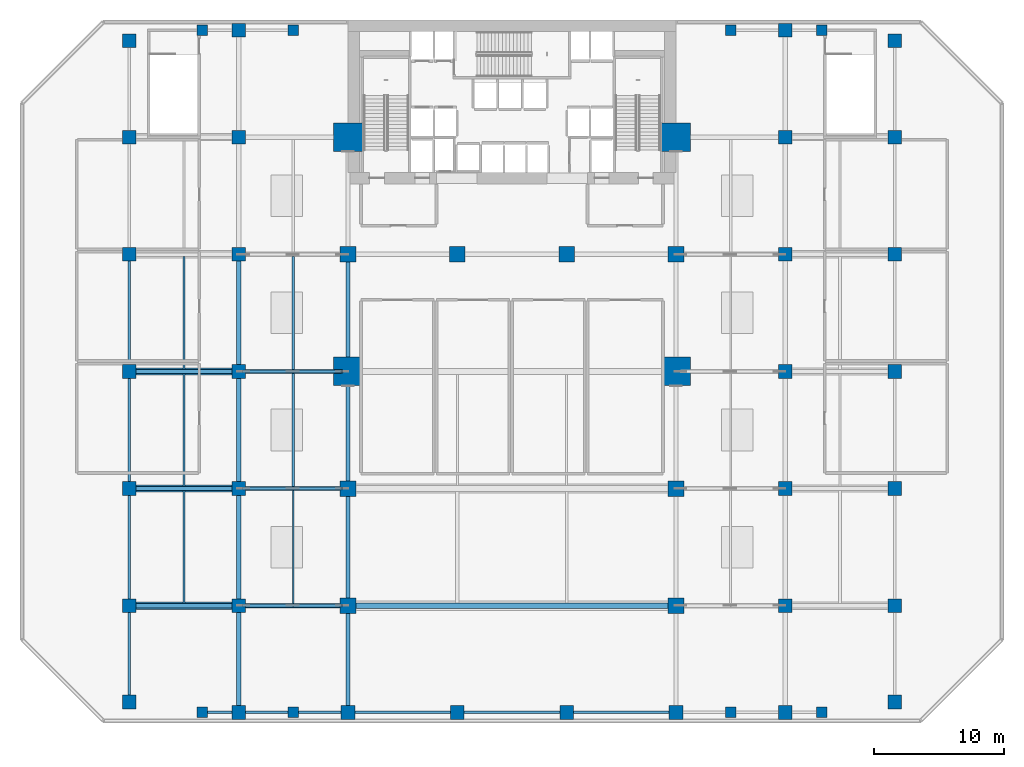
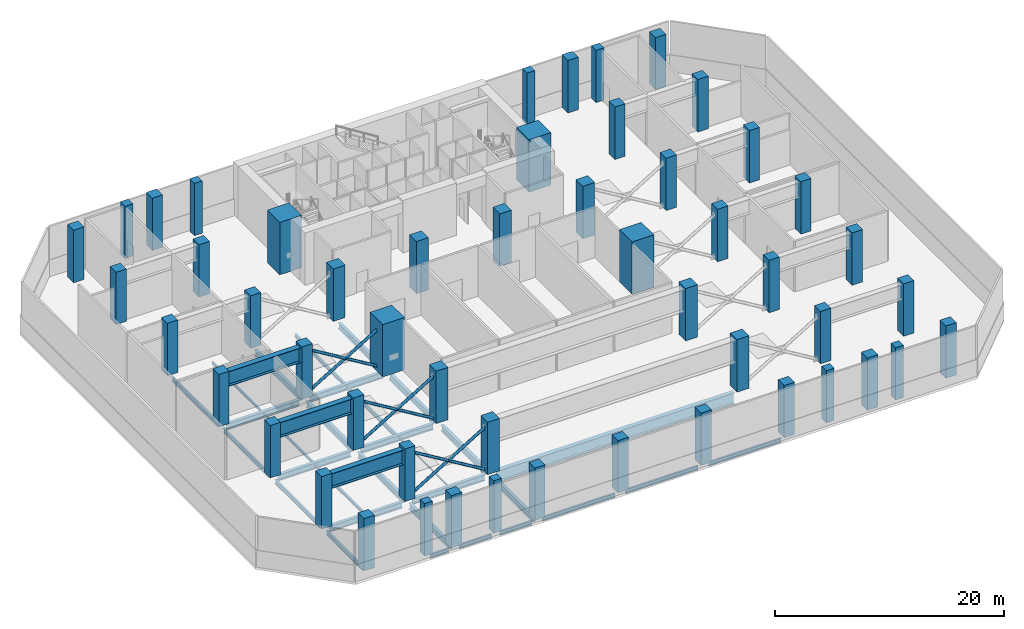
# One storey, part 1 of 15: 52 columns, 34 beams, 9 members.
"""IFC4 building model written with IfcOpenShell, lengths in metres."""

import ifcopenshell
import ifcopenshell.guid

model = None  # the IFC model being written
_history = None  # IfcOwnerHistory: only IFC2X3 demands one
_inside = {}  # id of a spatial element -> (the spatial element, [elements in it])
_under = {}  # id of a project, library or spatial element -> (it, [spatial elements below it])
_declared = {}  # id of a project -> (the project, [libraries it declares])
_typed = {}  # id of a type object -> (the type object, [elements of that type])
_made_of = {}  # id of a material, layer set ... -> (it, [elements and type objects made of it])


def new_model(schema):
    """Start an empty IFC model of exactly this schema.

    Asked for "IFC4X3", IfcOpenShell would pick the latest addendum, in which some entities
    have other attributes; the version numbers below select the first issue.
    IFC2X3 requires an IfcOwnerHistory on every rooted entity: one is made here for all.
    """
    global model, _history
    if schema == "IFC4X3":
        model = ifcopenshell.file(schema_version=(4, 3, 0, 0))
    else:
        model = ifcopenshell.file(schema=schema)
    _inside.clear()
    _under.clear()
    _declared.clear()
    _typed.clear()
    _made_of.clear()
    _history = None
    if model.schema == "IFC2X3":
        org = make("IfcOrganization", Name="unknown")
        user = make(
            "IfcPersonAndOrganization",
            ThePerson=make("IfcPerson", FamilyName="unknown"),
            TheOrganization=org,
        )
        app = make(
            "IfcApplication",
            ApplicationDeveloper=org,
            Version="unknown",
            ApplicationFullName="unknown",
            ApplicationIdentifier="unknown",
        )
        _history = make(
            "IfcOwnerHistory",
            OwningUser=user,
            OwningApplication=app,
            ChangeAction="ADDED",
            CreationDate=0,
        )
    return model


def make(cls, **values):
    """One entity of the class cls with the attributes given. An attribute that is None is left unset."""
    return model.create_entity(
        cls, **{name: value for name, value in values.items() if value is not None}
    )


def rooted(cls, **values):
    """An entity with a GlobalId (a new one), such as an element, a storey or a relation."""
    return make(cls, GlobalId=ifcopenshell.guid.new(), OwnerHistory=_history, **values)


def si_unit(unit_type, name, prefix=None):
    """IfcSIUnit, for example si_unit("LENGTHUNIT", "METRE", prefix="MILLI")."""
    return make("IfcSIUnit", UnitType=unit_type, Prefix=prefix, Name=name)


def assignment(units):
    """IfcUnitAssignment: the units of a project."""
    return None if units is None else make("IfcUnitAssignment", Units=units)


def point(xyz):
    """IfcCartesianPoint."""
    return None if xyz is None else make("IfcCartesianPoint", Coordinates=xyz)


def direction(xyz):
    """IfcDirection."""
    return None if xyz is None else make("IfcDirection", DirectionRatios=xyz)


def frame(location, z_axis=None, x_axis=None):
    """IfcAxis2Placement3D, a coordinate frame: its origin and axes. An axis left out is left unset."""
    return make(
        "IfcAxis2Placement3D",
        Location=point(location),
        Axis=direction(z_axis),
        RefDirection=direction(x_axis),
    )


def frame_2d(location, x_axis=None):
    """IfcAxis2Placement2D, a coordinate frame in the plane: its origin and x axis."""
    return make(
        "IfcAxis2Placement2D", Location=point(location), RefDirection=direction(x_axis)
    )


def origin():
    """The frame at (0, 0, 0) with its axes left unset."""
    return frame((0.0, 0.0, 0.0))


def origin_2d():
    """The frame at (0, 0) in the plane with its x axis left unset."""
    return frame_2d((0.0, 0.0))


def place(relative_to, where):
    """IfcLocalPlacement: puts the frame where relative to a parent placement (None: the world)."""
    return make(
        "IfcLocalPlacement", PlacementRelTo=relative_to, RelativePlacement=where
    )


def context(
    kind, dimensions, precision=None, world=None, true_north=None, identifier=None
):
    """IfcGeometricRepresentationContext, for example the 3D "Model" context."""
    return make(
        "IfcGeometricRepresentationContext",
        ContextIdentifier=identifier,
        ContextType=kind,
        CoordinateSpaceDimension=dimensions,
        Precision=precision,
        WorldCoordinateSystem=world,
        TrueNorth=true_north,
    )


def subcontext(parent, identifier, kind, view, scale=None):
    """IfcGeometricRepresentationSubContext, for example "Body" below "Model"."""
    return make(
        "IfcGeometricRepresentationSubContext",
        ContextIdentifier=identifier,
        ContextType=kind,
        ParentContext=parent,
        TargetScale=scale,
        TargetView=view,
    )


def project(units=None, contexts=None):
    """IfcProject with its units and contexts."""
    return rooted(
        "IfcProject",
        Name="project",
        RepresentationContexts=contexts,
        UnitsInContext=assignment(units),
    )


def spatial(cls, under=None, at=None, **own):
    """A site, building, storey or space (cls), placed at a placement, below another one or the project."""
    s = rooted(cls, ObjectPlacement=at, **own)
    if under is not None:
        _under.setdefault(under.id(), (under, []))[1].append(s)
    return s


def profile(cls, at=None, kind="AREA", **sizes):
    """A parametric profile (cls). Its sizes go by their IFC names, for example OverallWidth=200.0."""
    return make(cls, ProfileType=kind, Position=at, **sizes)


def rectangle(**sizes):
    """IfcRectangleProfileDef."""
    return profile("IfcRectangleProfileDef", **sizes)


def hollow_circle(**sizes):
    """IfcCircleHollowProfileDef."""
    return profile("IfcCircleHollowProfileDef", **sizes)


def i_section(**sizes):
    """IfcIShapeProfileDef."""
    return profile("IfcIShapeProfileDef", **sizes)


def extrude(swept, where, along, depth):
    """IfcExtrudedAreaSolid: the profile swept, set in the frame where, extruded along a direction by depth."""
    return make(
        "IfcExtrudedAreaSolid",
        SweptArea=swept,
        Position=where,
        ExtrudedDirection=direction(along),
        Depth=depth,
    )


def shape(context_of_items, identifier, shape_type, items):
    """IfcShapeRepresentation: the items that make up one representation, for example the "Body"."""
    return make(
        "IfcShapeRepresentation",
        ContextOfItems=context_of_items,
        RepresentationIdentifier=identifier,
        RepresentationType=shape_type,
        Items=items,
    )


def material(Name=None, Category=None):
    """IfcMaterial."""
    return make("IfcMaterial", Name=Name, Category=Category)


def material_profile(
    of_material, cross_section, Name=None, Category=None, Priority=None
):
    """IfcMaterialProfile: a cross section and its material."""
    return make(
        "IfcMaterialProfile",
        Name=Name,
        Material=of_material,
        Profile=cross_section,
        Priority=Priority,
        Category=Category,
    )


def profile_set(profiles, Name=None, composite=None):
    """IfcMaterialProfileSet."""
    return make(
        "IfcMaterialProfileSet",
        Name=Name,
        MaterialProfiles=profiles,
        CompositeProfile=composite,
    )


def made_of(thing, what):
    """Note that an element or type object is made of a material, layer set ...; save() writes the relation."""
    if what is not None:
        _made_of.setdefault(what.id(), (what, []))[1].append(thing)
    return thing


def type_object(cls, material=None, **own):
    """A type object (cls), such as IfcWallType, which elements share."""
    return made_of(rooted(cls, **own), material)


def element(
    cls,
    number,
    at=None,
    inside=None,
    cuts=None,
    type_object=None,
    material=None,
    context=None,
    identifier="Body",
    shape_type=None,
    held_by="IfcProductDefinitionShape",
    body=None,
    shapes=None,
    **own,
):
    """One element of the class cls, such as IfcWall. Its Tag is "e" and its number.

    at: its placement. inside: the storey or other place that contains it. cuts: it is an
    opening in that element (IfcRelVoidsElement). A single representation is given by context,
    identifier, shape_type and body (its items); several are given by shapes. held_by: the class
    of the entity that holds the representations. save() writes the other relations.
    """
    e = rooted(cls, Tag="e%d" % number, ObjectPlacement=at, **own)
    if body is not None:
        shapes = [shape(context, identifier, shape_type, body)]
    if shapes is not None:
        e.Representation = make(held_by, Representations=shapes)
    if inside is not None:
        _inside.setdefault(inside.id(), (inside, []))[1].append(e)
    if cuts is not None:
        rooted(
            "IfcRelVoidsElement", RelatingBuildingElement=cuts, RelatedOpeningElement=e
        )
    if type_object is not None:
        _typed.setdefault(type_object.id(), (type_object, []))[1].append(e)
    return made_of(e, material)


def aggregate(whole, parts):
    """IfcRelAggregates: a whole, such as a stair, and the parts it consists of."""
    return rooted("IfcRelAggregates", RelatingObject=whole, RelatedObjects=parts)


def save(model, path):
    """Write the relations noted so far, then the file.

    IfcRelAggregates (storeys below a building ...), IfcRelContainedInSpatialStructure (elements
    in a storey), IfcRelDefinesByType, IfcRelAssociatesMaterial and IfcRelDeclares: one each for
    every whole, place, type object, material and project.
    """
    for whole, parts in _under.values():
        aggregate(whole, parts)
    for where, things in _inside.values():
        rooted(
            "IfcRelContainedInSpatialStructure",
            RelatedElements=things,
            RelatingStructure=where,
        )
    for kind, things in _typed.values():
        rooted("IfcRelDefinesByType", RelatedObjects=things, RelatingType=kind)
    for what, things in _made_of.values():
        rooted("IfcRelAssociatesMaterial", RelatedObjects=things, RelatingMaterial=what)
    for by, libraries in _declared.values():
        rooted("IfcRelDeclares", RelatingContext=by, RelatedDefinitions=libraries)
    model.write(path)


model = new_model("IFC4")

# Units and contexts
model_context = context("Model", 3, precision=1e-05, world=origin(), true_north=direction((0.0, 1.0)))
body_context = subcontext(model_context, "Body", "Model", "MODEL_VIEW")
ifc_project = project(units=[si_unit("LENGTHUNIT", "METRE"), si_unit("AREAUNIT", "SQUARE_METRE"), si_unit("VOLUMEUNIT", "CUBIC_METRE"), si_unit("PLANEANGLEUNIT", "RADIAN"), si_unit("MASSUNIT", "GRAM", prefix="KILO")], contexts=[model_context])

# Site, building, storey
site_placement = place(None, origin())
site = spatial("IfcSite", under=ifc_project, at=site_placement, CompositionType="ELEMENT")
building_placement = place(site_placement, origin())
building = spatial("IfcBuilding", under=site, at=building_placement, Name="Maruvema Waterfront Hotel and Observation Tower", CompositionType="ELEMENT")
storey_placement = place(building_placement, frame((0.0, 0.0, 21.35009765625)))
storey = spatial("IfcBuildingStorey", under=building, at=storey_placement, Name="L04", CompositionType="ELEMENT", Elevation=21.35009765625)

# Columns
ifc_material_1 = material(Name="Concrete C80/95", Category="concrete")
ifc_material_profile_1 = material_profile(ifc_material_1, rectangle(XDim=2.199951171875, YDim=2.199951171875, at=origin_2d()), Name="MC2200x2200")
ifc_profile_set_1 = profile_set([ifc_material_profile_1], Name="Concrete C80/95")
column_type_1 = type_object("IfcColumnType", Name="Continuous Mega-Column MC2200x2200", PredefinedType="COLUMN", material=ifc_profile_set_1)
for number, where, z_axis, x_axis, name in (
    (1, (25.199951171875, 27.0, 0.0), (0.0, 0.0, 1.0), (1.0, 0.0, 0.0), "L04 Continuous Mega-Column MC-01"),
    (2, (50.39990234375, 27.0, 0.0), (0.0, 0.0, 1.0), (1.0, 0.0, 0.0), "L04 Continuous Mega-Column MC-02"),
    (3, (25.199951171875, 45.0, 0.0), (0.0, 0.0, 1.0), (1.0, 0.0, 0.0), "L04 Continuous Mega-Column MC-03"),
    (4, (50.39990234375, 45.0, 0.0), (0.0, 0.0, 1.0), (1.0, 0.0, 0.0), "L04 Continuous Mega-Column MC-04"),
):
    element("IfcColumn", number, at=place(storey_placement, frame(where, z_axis=z_axis, x_axis=x_axis)), inside=storey, type_object=column_type_1, Name=name, PredefinedType="COLUMN", context=body_context, shape_type="SweptSolid", body=[
        extrude(rectangle(XDim=2.199951171875, YDim=2.199951171875, at=origin_2d()), origin(), (0.0, 0.0, 1.0), 5.599853515625),
    ])
ifc_material_2 = material(Name="Concrete C60/75", Category="concrete")
ifc_material_profile_2 = material_profile(ifc_material_2, rectangle(XDim=1.050048828125, YDim=1.050048828125, at=origin_2d()), Name="RC1050x1050")
ifc_profile_set_2 = profile_set([ifc_material_profile_2], Name="Concrete C60/75")
column_type_2 = type_object("IfcColumnType", Name="Reinforced Concrete Column RC1050x1050", PredefinedType="COLUMN", material=ifc_profile_set_2)
for number, where, z_axis, x_axis, name in (
    (5, (16.800048828125, 9.0, 0.0), (0.0, 0.0, 1.0), (1.0, 0.0, 0.0), "L04 Column C-3Y9"),
    (6, (58.800048828125, 9.0, 0.0), (0.0, 0.0, 1.0), (1.0, 0.0, 0.0), "L04 Column C-8Y9"),
    (7, (16.800048828125, 18.0, 0.0), (0.0, 0.0, 1.0), (1.0, 0.0, 0.0), "L04 Column C-3Y18"),
    (8, (58.800048828125, 18.0, 0.0), (0.0, 0.0, 1.0), (1.0, 0.0, 0.0), "L04 Column C-8Y18"),
    (9, (16.800048828125, 27.0, 0.0), (0.0, 0.0, 1.0), (1.0, 0.0, 0.0), "L04 Column C-3Y27"),
    (10, (58.800048828125, 27.0, 0.0), (0.0, 0.0, 1.0), (1.0, 0.0, 0.0), "L04 Column C-8Y27"),
    (11, (16.800048828125, 36.0, 0.0), (0.0, 0.0, 1.0), (1.0, 0.0, 0.0), "L04 Column C-3Y36"),
    (12, (58.800048828125, 36.0, 0.0), (0.0, 0.0, 1.0), (1.0, 0.0, 0.0), "L04 Column C-8Y36"),
    (13, (16.800048828125, 45.0, 0.0), (0.0, 0.0, 1.0), (1.0, 0.0, 0.0), "L04 Column C-3Y45"),
    (14, (58.800048828125, 45.0, 0.0), (0.0, 0.0, 1.0), (1.0, 0.0, 0.0), "L04 Column C-8Y45"),
    (15, (8.39990234375, 1.60009765625, 0.0), (0.0, 0.0, 1.0), (1.0, 0.0, 0.0), "L04 Column C-2A"),
    (16, (67.199951171875, 1.60009765625, 0.0), (0.0, 0.0, 1.0), (1.0, 0.0, 0.0), "L04 Column C-9A"),
    (17, (8.39990234375, 9.0, 0.0), (0.0, 0.0, 1.0), (1.0, 0.0, 0.0), "L04 Column C-2B"),
    (18, (67.199951171875, 9.0, 0.0), (0.0, 0.0, 1.0), (1.0, 0.0, 0.0), "L04 Column C-9B"),
    (19, (8.39990234375, 18.0, 0.0), (0.0, 0.0, 1.0), (1.0, 0.0, 0.0), "L04 Column C-2C"),
    (20, (67.199951171875, 18.0, 0.0), (0.0, 0.0, 1.0), (1.0, 0.0, 0.0), "L04 Column C-9C"),
    (21, (8.39990234375, 27.0, 0.0), (0.0, 0.0, 1.0), (1.0, 0.0, 0.0), "L04 Column C-2D"),
    (22, (67.199951171875, 27.0, 0.0), (0.0, 0.0, 1.0), (1.0, 0.0, 0.0), "L04 Column C-9D"),
    (23, (8.39990234375, 36.0, 0.0), (0.0, 0.0, 1.0), (1.0, 0.0, 0.0), "L04 Column C-2E"),
    (24, (67.199951171875, 36.0, 0.0), (0.0, 0.0, 1.0), (1.0, 0.0, 0.0), "L04 Column C-9E"),
    (25, (8.39990234375, 45.0, 0.0), (0.0, 0.0, 1.0), (1.0, 0.0, 0.0), "L04 Column C-2F"),
    (26, (67.199951171875, 45.0, 0.0), (0.0, 0.0, 1.0), (1.0, 0.0, 0.0), "L04 Column C-9F"),
    (27, (8.39990234375, 52.39990234375, 0.0), (0.0, 0.0, 1.0), (1.0, 0.0, 0.0), "L04 Column C-2G"),
    (28, (67.199951171875, 52.39990234375, 0.0), (0.0, 0.0, 1.0), (1.0, 0.0, 0.0), "L04 Column C-9G"),
    (29, (16.800048828125, 0.800048828125, 0.0), (0.0, 0.0, 1.0), (1.0, 0.0, 0.0), "L04 Column C-3A"),
    (30, (25.199951171875, 0.800048828125, 0.0), (0.0, 0.0, 1.0), (1.0, 0.0, 0.0), "L04 Column C-4A"),
    (31, (33.60009765625, 0.800048828125, 0.0), (0.0, 0.0, 1.0), (1.0, 0.0, 0.0), "L04 Column C-5A"),
    (32, (42.0, 0.800048828125, 0.0), (0.0, 0.0, 1.0), (1.0, 0.0, 0.0), "L04 Column C-6A"),
    (33, (50.39990234375, 0.800048828125, 0.0), (0.0, 0.0, 1.0), (1.0, 0.0, 0.0), "L04 Column C-7A"),
    (34, (58.800048828125, 0.800048828125, 0.0), (0.0, 0.0, 1.0), (1.0, 0.0, 0.0), "L04 Column C-8A"),
    (35, (16.800048828125, 53.199951171875, 0.0), (0.0, 0.0, 1.0), (1.0, 0.0, 0.0), "L04 Column C-3G"),
    (36, (58.800048828125, 53.199951171875, 0.0), (0.0, 0.0, 1.0), (1.0, 0.0, 0.0), "L04 Column C-8G"),
):
    element("IfcColumn", number, at=place(storey_placement, frame(where, z_axis=z_axis, x_axis=x_axis)), inside=storey, type_object=column_type_2, Name=name, PredefinedType="COLUMN", context=body_context, shape_type="SweptSolid", body=[
        extrude(rectangle(XDim=1.050048828125, YDim=1.050048828125, at=origin_2d()), origin(), (0.0, 0.0, 1.0), 5.599853515625),
    ])
ifc_material_3 = material(Name="Concrete C60/75", Category="concrete")
ifc_material_profile_3 = material_profile(ifc_material_3, rectangle(XDim=1.199951171875, YDim=1.199951171875, at=origin_2d()), Name="RC1200x1200")
ifc_profile_set_3 = profile_set([ifc_material_profile_3], Name="Concrete C60/75")
column_type_3 = type_object("IfcColumnType", Name="Reinforced Concrete Column RC1200x1200", PredefinedType="COLUMN", material=ifc_profile_set_3)
for number, where, z_axis, x_axis, name in (
    (37, (25.199951171875, 36.0, 0.0), (0.0, 0.0, 1.0), (1.0, 0.0, 0.0), "L04 Column C-4E"),
    (38, (33.60009765625, 36.0, 0.0), (0.0, 0.0, 1.0), (1.0, 0.0, 0.0), "L04 Column C-5E"),
    (39, (42.0, 36.0, 0.0), (0.0, 0.0, 1.0), (1.0, 0.0, 0.0), "L04 Column C-6E"),
    (40, (50.39990234375, 36.0, 0.0), (0.0, 0.0, 1.0), (1.0, 0.0, 0.0), "L04 Column C-7E"),
    (41, (25.199951171875, 18.0, 0.0), (0.0, 0.0, 1.0), (1.0, 0.0, 0.0), "L04 Column C-4C"),
    (42, (50.39990234375, 18.0, 0.0), (0.0, 0.0, 1.0), (1.0, 0.0, 0.0), "L04 Column C-7C"),
    (43, (25.199951171875, 9.0, 0.0), (0.0, 0.0, 1.0), (1.0, 0.0, 0.0), "L04 Column C-4B"),
    (44, (50.39990234375, 9.0, 0.0), (0.0, 0.0, 1.0), (1.0, 0.0, 0.0), "L04 Column C-7B"),
):
    element("IfcColumn", number, at=place(storey_placement, frame(where, z_axis=z_axis, x_axis=x_axis)), inside=storey, type_object=column_type_3, Name=name, PredefinedType="COLUMN", context=body_context, shape_type="SweptSolid", body=[
        extrude(rectangle(XDim=1.199951171875, YDim=1.199951171875, at=origin_2d()), origin(), (0.0, 0.0, 1.0), 5.599853515625),
    ])
ifc_material_4 = material(Name="Concrete C60/75", Category="concrete")
ifc_material_profile_4 = material_profile(ifc_material_4, rectangle(XDim=0.800048828125, YDim=0.800048828125, at=origin_2d()), Name="RC800x800")
ifc_profile_set_4 = profile_set([ifc_material_profile_4], Name="Concrete C60/75")
column_type_4 = type_object("IfcColumnType", Name="Waterfront Colonnade Pilaster RC800x800", PredefinedType="PILASTER", material=ifc_profile_set_4)
for number, where, z_axis, x_axis, name in (
    (45, (14.0, 0.800048828125, 0.0), (0.0, 0.0, 1.0), (1.0, 0.0, 0.0), "L04 Column PL-S1"),
    (46, (14.0, 53.199951171875, 0.0), (0.0, 0.0, 1.0), (1.0, 0.0, 0.0), "L04 Column PL-N1"),
    (47, (21.0, 0.800048828125, 0.0), (0.0, 0.0, 1.0), (1.0, 0.0, 0.0), "L04 Column PL-S2"),
    (48, (21.0, 53.199951171875, 0.0), (0.0, 0.0, 1.0), (1.0, 0.0, 0.0), "L04 Column PL-N2"),
    (49, (54.60009765625, 0.800048828125, 0.0), (0.0, 0.0, 1.0), (1.0, 0.0, 0.0), "L04 Column PL-S3"),
    (50, (54.60009765625, 53.199951171875, 0.0), (0.0, 0.0, 1.0), (1.0, 0.0, 0.0), "L04 Column PL-N3"),
    (51, (61.60009765625, 0.800048828125, 0.0), (0.0, 0.0, 1.0), (1.0, 0.0, 0.0), "L04 Column PL-S4"),
    (52, (61.60009765625, 53.199951171875, 0.0), (0.0, 0.0, 1.0), (1.0, 0.0, 0.0), "L04 Column PL-N4"),
):
    element("IfcColumn", number, at=place(storey_placement, frame(where, z_axis=z_axis, x_axis=x_axis)), inside=storey, type_object=column_type_4, Name=name, PredefinedType="PILASTER", context=body_context, shape_type="SweptSolid", body=[
        extrude(rectangle(XDim=0.800048828125, YDim=0.800048828125, at=origin_2d()), origin(), (0.0, 0.0, 1.0), 5.599853515625),
    ])

# Beams
ifc_material_5 = material(Name="Steel ASTM A572 Grade 50", Category="steel")
ifc_material_profile_5 = material_profile(ifc_material_5, i_section(OverallWidth=0.18994140625, OverallDepth=0.45703125, WebThickness=0.009033203125, FlangeThickness=0.014404296875, FilletRadius=0.014892578125, at=origin_2d()), Name="W460x74.0")
ifc_profile_set_5 = profile_set([ifc_material_profile_5], Name="Steel ASTM A572 Grade 50")
beam_type_1 = type_object("IfcBeamType", Name="Perimeter Spandrel Beam W460x74.0", PredefinedType="SPANDREL", material=ifc_profile_set_5)
beam_1_placement = place(storey_placement, frame((14.39990234375, 0.800048828125, -0.508544921875), z_axis=(1.0, 0.0, 0.0), x_axis=(0.0, 1.0, 0.0)))
element("IfcBeam", 53, at=beam_1_placement, inside=storey, type_object=beam_type_1, Name="L04 Floor Girder EW-01", PredefinedType="SPANDREL", context=body_context, shape_type="SweptSolid", body=[
    extrude(i_section(OverallWidth=0.18994140625, OverallDepth=0.45703125, WebThickness=0.009033203125, FlangeThickness=0.014404296875, FilletRadius=0.014892578125, at=origin_2d()), origin(), (0.0, 0.0, 1.0), 1.875),
])
for number, where, z_axis, x_axis, name in (
    (54, (17.324951171875, 0.800048828125, -0.508544921875), (1.0, 0.0, 0.0), (0.0, 1.0, 0.0), "L04 Floor Girder EW-02"),
    (55, (21.39990234375, 0.800048828125, -0.508544921875), (1.0, 0.0, 0.0), (0.0, 1.0, 0.0), "L04 Floor Girder EW-03"),
):
    element("IfcBeam", number, at=place(storey_placement, frame(where, z_axis=z_axis, x_axis=x_axis)), inside=storey, type_object=beam_type_1, Name=name, PredefinedType="SPANDREL", context=body_context, shape_type="SweptSolid", body=[
        extrude(i_section(OverallWidth=0.18994140625, OverallDepth=0.45703125, WebThickness=0.009033203125, FlangeThickness=0.014404296875, FilletRadius=0.014892578125, at=origin_2d()), origin(), (0.0, 0.0, 1.0), 3.275146484375),
    ])
beam_2_placement = place(storey_placement, frame((25.72509765625, 0.800048828125, -0.508544921875), z_axis=(1.0, 0.0, 0.0), x_axis=(0.0, 1.0, 0.0)))
element("IfcBeam", 56, at=beam_2_placement, inside=storey, type_object=beam_type_1, Name="L04 Floor Girder EW-04", PredefinedType="SPANDREL", context=body_context, shape_type="SweptSolid", body=[
    extrude(i_section(OverallWidth=0.18994140625, OverallDepth=0.45703125, WebThickness=0.009033203125, FlangeThickness=0.014404296875, FilletRadius=0.014892578125, at=origin_2d()), origin(), (0.0, 0.0, 1.0), 7.349853515625),
])
for number, where, z_axis, x_axis, name in (
    (57, (34.125, 0.800048828125, -0.508544921875), (1.0, 0.0, 0.0), (0.0, 1.0, 0.0), "L04 Floor Girder EW-05"),
    (58, (42.52490234375, 0.800048828125, -0.508544921875), (1.0, 0.0, 0.0), (0.0, 1.0, 0.0), "L04 Floor Girder EW-06"),
):
    element("IfcBeam", number, at=place(storey_placement, frame(where, z_axis=z_axis, x_axis=x_axis)), inside=storey, type_object=beam_type_1, Name=name, PredefinedType="SPANDREL", context=body_context, shape_type="SweptSolid", body=[
        extrude(i_section(OverallWidth=0.18994140625, OverallDepth=0.45703125, WebThickness=0.009033203125, FlangeThickness=0.014404296875, FilletRadius=0.014892578125, at=origin_2d()), origin(), (0.0, 0.0, 1.0), 7.35009765625),
    ])
beam_3_placement = place(storey_placement, frame((8.39990234375, 2.125, -0.508544921875), z_axis=(0.0, 1.0, 0.0), x_axis=(-1.0, 0.0, 0.0)))
element("IfcBeam", 59, at=beam_3_placement, inside=storey, type_object=beam_type_1, Name="L04 Floor Girder NS-01", PredefinedType="SPANDREL", context=body_context, shape_type="SweptSolid", body=[
    extrude(i_section(OverallWidth=0.18994140625, OverallDepth=0.45703125, WebThickness=0.009033203125, FlangeThickness=0.014404296875, FilletRadius=0.014892578125, at=origin_2d()), origin(), (0.0, 0.0, 1.0), 6.35009765625),
])
for number, where, z_axis, x_axis, name in (
    (60, (8.39990234375, 9.52490234375, -0.508544921875), (0.0, 1.0, 0.0), (-1.0, 0.0, 0.0), "L04 Floor Girder NS-02"),
    (61, (8.39990234375, 18.52490234375, -0.508544921875), (0.0, 1.0, 0.0), (-1.0, 0.0, 0.0), "L04 Floor Girder NS-03"),
    (62, (8.39990234375, 27.52490234375, -0.508544921875), (0.0, 1.0, 0.0), (-1.0, 0.0, 0.0), "L04 Floor Girder NS-04"),
):
    element("IfcBeam", number, at=place(storey_placement, frame(where, z_axis=z_axis, x_axis=x_axis)), inside=storey, type_object=beam_type_1, Name=name, PredefinedType="SPANDREL", context=body_context, shape_type="SweptSolid", body=[
        extrude(i_section(OverallWidth=0.18994140625, OverallDepth=0.45703125, WebThickness=0.009033203125, FlangeThickness=0.014404296875, FilletRadius=0.014892578125, at=origin_2d()), origin(), (0.0, 0.0, 1.0), 7.9501953125),
    ])

# Members
ifc_material_6 = material(Name="Steel ABNT NBR 7007 AR 350 (ASTM A572 Grade 50)", Category="steel")
ifc_material_profile_6 = material_profile(ifc_material_6, hollow_circle(Radius=0.136474609375, WallThickness=0.012451171875, at=origin_2d()), Name="CHS273.0x12.5")
ifc_profile_set_6 = profile_set([ifc_material_profile_6], Name="Steel ABNT NBR 7007 AR 350 (ASTM A572 Grade 50)")
member_type = type_object("IfcMemberType", Name="Podium Transfer Strut CHS273.0x12.5", PredefinedType="BRACE", material=ifc_profile_set_6)
member_1_placement = place(storey_placement, frame((17.14990234375, 9.0, 0.14990234375), z_axis=(0.855997175683, 0.0, 0.516980497913), x_axis=(0.0, 1.0, 0.0)))
element("IfcMember", 63, at=member_1_placement, inside=storey, type_object=member_type, Name="L04 Transfer Truss Diagonal 01 Continuous A", PredefinedType="BRACE", context=body_context, shape_type="SweptSolid", body=[
    extrude(hollow_circle(Radius=0.136474609375, WallThickness=0.012451171875, at=origin_2d()), origin(), (0.0, 0.0, 1.0), 8.878662109375),
])
for number, where, z_axis, x_axis, name in (
    (64, (24.75, 9.0, 0.14990234375), (-0.856002637589, 0.0, 0.516971454183), (0.0, -1.0, 0.0), "L04 Transfer Truss Diagonal 01 Split Lower B1"),
    (65, (20.932861328125, 9.0, 2.455322265625), (-0.856002637589, 0.0, 0.516971454183), (0.0, -1.0, 0.0), "L04 Transfer Truss Diagonal 01 Split Upper B2"),
):
    element("IfcMember", number, at=place(storey_placement, frame(where, z_axis=z_axis, x_axis=x_axis)), inside=storey, type_object=member_type, Name=name, PredefinedType="BRACE", context=body_context, shape_type="SweptSolid", body=[
        extrude(hollow_circle(Radius=0.136474609375, WallThickness=0.012451171875, at=origin_2d()), origin(), (0.0, 0.0, 1.0), 4.41943359375),
    ])
member_2_placement = place(storey_placement, frame((17.14990234375, 18.0, 0.14990234375), z_axis=(0.855997175683, 0.0, 0.516980497913), x_axis=(0.0, 1.0, 0.0)))
element("IfcMember", 66, at=member_2_placement, inside=storey, type_object=member_type, Name="L04 Transfer Truss Diagonal 03 Continuous A", PredefinedType="BRACE", context=body_context, shape_type="SweptSolid", body=[
    extrude(hollow_circle(Radius=0.136474609375, WallThickness=0.012451171875, at=origin_2d()), origin(), (0.0, 0.0, 1.0), 8.878662109375),
])
for number, where, z_axis, x_axis, name in (
    (67, (24.75, 18.0, 0.14990234375), (-0.856002637589, 0.0, 0.516971454183), (0.0, -1.0, 0.0), "L04 Transfer Truss Diagonal 03 Split Lower B1"),
    (68, (20.932861328125, 18.0, 2.455322265625), (-0.856002637589, 0.0, 0.516971454183), (0.0, -1.0, 0.0), "L04 Transfer Truss Diagonal 03 Split Upper B2"),
):
    element("IfcMember", number, at=place(storey_placement, frame(where, z_axis=z_axis, x_axis=x_axis)), inside=storey, type_object=member_type, Name=name, PredefinedType="BRACE", context=body_context, shape_type="SweptSolid", body=[
        extrude(hollow_circle(Radius=0.136474609375, WallThickness=0.012451171875, at=origin_2d()), origin(), (0.0, 0.0, 1.0), 4.41943359375),
    ])
member_3_placement = place(storey_placement, frame((17.14990234375, 27.0, 0.14990234375), z_axis=(0.855997175683, 0.0, 0.516980497913), x_axis=(0.0, 1.0, 0.0)))
element("IfcMember", 69, at=member_3_placement, inside=storey, type_object=member_type, Name="L04 Transfer Truss Diagonal 05 Continuous A", PredefinedType="BRACE", context=body_context, shape_type="SweptSolid", body=[
    extrude(hollow_circle(Radius=0.136474609375, WallThickness=0.012451171875, at=origin_2d()), origin(), (0.0, 0.0, 1.0), 8.878662109375),
])
for number, where, z_axis, x_axis, name in (
    (70, (24.75, 27.0, 0.14990234375), (-0.856002637589, 0.0, 0.516971454183), (0.0, -1.0, 0.0), "L04 Transfer Truss Diagonal 05 Split Lower B1"),
    (71, (20.932861328125, 27.0, 2.455322265625), (-0.856002637589, 0.0, 0.516971454183), (0.0, -1.0, 0.0), "L04 Transfer Truss Diagonal 05 Split Upper B2"),
):
    element("IfcMember", number, at=place(storey_placement, frame(where, z_axis=z_axis, x_axis=x_axis)), inside=storey, type_object=member_type, Name=name, PredefinedType="BRACE", context=body_context, shape_type="SweptSolid", body=[
        extrude(hollow_circle(Radius=0.136474609375, WallThickness=0.012451171875, at=origin_2d()), origin(), (0.0, 0.0, 1.0), 4.41943359375),
    ])

# Beams
ifc_material_7 = material(Name="Steel ASTM A572 Grade 50", Category="steel")
ifc_material_profile_7 = material_profile(ifc_material_7, i_section(OverallWidth=0.3291015625, OverallDepth=0.635009765625, WebThickness=0.017822265625, FlangeThickness=0.031005859375, FilletRadius=0.01806640625, at=origin_2d()), Name="W610x241.0")
ifc_profile_set_7 = profile_set([ifc_material_profile_7], Name="Steel ASTM A572 Grade 50")
beam_type_2 = type_object("IfcBeamType", Name="Primary Floor Girder W610x241.0", PredefinedType="BEAM", material=ifc_profile_set_7)
beam_4_placement = place(storey_placement, frame((8.925048828125, 9.0, -0.59765625), z_axis=(1.0, 0.0, 0.0), x_axis=(0.0, 1.0, 0.0)))
element("IfcBeam", 72, at=beam_4_placement, inside=storey, type_object=beam_type_2, Name="L04 Floor Girder EW-10", PredefinedType="BEAM", context=body_context, shape_type="SweptSolid", body=[
    extrude(i_section(OverallWidth=0.3291015625, OverallDepth=0.635009765625, WebThickness=0.017822265625, FlangeThickness=0.031005859375, FilletRadius=0.01806640625, at=origin_2d()), origin(), (0.0, 0.0, 1.0), 7.349853515625),
])
beam_5_placement = place(storey_placement, frame((17.324951171875, 9.0, -0.59765625), z_axis=(1.0, 0.0, 0.0), x_axis=(0.0, 1.0, 0.0)))
element("IfcBeam", 73, at=beam_5_placement, inside=storey, type_object=beam_type_2, Name="L04 Floor Girder EW-11", PredefinedType="BEAM", context=body_context, shape_type="SweptSolid", body=[
    extrude(i_section(OverallWidth=0.3291015625, OverallDepth=0.635009765625, WebThickness=0.017822265625, FlangeThickness=0.031005859375, FilletRadius=0.01806640625, at=origin_2d()), origin(), (0.0, 0.0, 1.0), 7.275146484375),
])
beam_6_placement = place(storey_placement, frame((8.925048828125, 18.0, -0.59765625), z_axis=(1.0, 0.0, 0.0), x_axis=(0.0, 1.0, 0.0)))
element("IfcBeam", 74, at=beam_6_placement, inside=storey, type_object=beam_type_2, Name="L04 Floor Girder EW-15", PredefinedType="BEAM", context=body_context, shape_type="SweptSolid", body=[
    extrude(i_section(OverallWidth=0.3291015625, OverallDepth=0.635009765625, WebThickness=0.017822265625, FlangeThickness=0.031005859375, FilletRadius=0.01806640625, at=origin_2d()), origin(), (0.0, 0.0, 1.0), 7.349853515625),
])
beam_7_placement = place(storey_placement, frame((17.324951171875, 18.0, -0.59765625), z_axis=(1.0, 0.0, 0.0), x_axis=(0.0, 1.0, 0.0)))
element("IfcBeam", 75, at=beam_7_placement, inside=storey, type_object=beam_type_2, Name="L04 Floor Girder EW-16", PredefinedType="BEAM", context=body_context, shape_type="SweptSolid", body=[
    extrude(i_section(OverallWidth=0.3291015625, OverallDepth=0.635009765625, WebThickness=0.017822265625, FlangeThickness=0.031005859375, FilletRadius=0.01806640625, at=origin_2d()), origin(), (0.0, 0.0, 1.0), 7.275146484375),
])
beam_8_placement = place(storey_placement, frame((8.925048828125, 27.0, -0.59765625), z_axis=(1.0, 0.0, 0.0), x_axis=(0.0, 1.0, 0.0)))
element("IfcBeam", 76, at=beam_8_placement, inside=storey, type_object=beam_type_2, Name="L04 Floor Girder EW-20", PredefinedType="BEAM", context=body_context, shape_type="SweptSolid", body=[
    extrude(i_section(OverallWidth=0.3291015625, OverallDepth=0.635009765625, WebThickness=0.017822265625, FlangeThickness=0.031005859375, FilletRadius=0.01806640625, at=origin_2d()), origin(), (0.0, 0.0, 1.0), 7.349853515625),
])
beam_9_placement = place(storey_placement, frame((17.324951171875, 27.0, -0.59765625), z_axis=(1.0, 0.0, 0.0), x_axis=(0.0, 1.0, 0.0)))
element("IfcBeam", 77, at=beam_9_placement, inside=storey, type_object=beam_type_2, Name="L04 Floor Girder EW-21", PredefinedType="BEAM", context=body_context, shape_type="SweptSolid", body=[
    extrude(i_section(OverallWidth=0.3291015625, OverallDepth=0.635009765625, WebThickness=0.017822265625, FlangeThickness=0.031005859375, FilletRadius=0.01806640625, at=origin_2d()), origin(), (0.0, 0.0, 1.0), 7.375),
])
beam_10_placement = place(storey_placement, frame((16.800048828125, 1.324951171875, -0.59765625), z_axis=(0.0, 1.0, 0.0), x_axis=(-1.0, 0.0, 0.0)))
element("IfcBeam", 78, at=beam_10_placement, inside=storey, type_object=beam_type_2, Name="L04 Floor Girder NS-07", PredefinedType="BEAM", context=body_context, shape_type="SweptSolid", body=[
    extrude(i_section(OverallWidth=0.3291015625, OverallDepth=0.635009765625, WebThickness=0.017822265625, FlangeThickness=0.031005859375, FilletRadius=0.01806640625, at=origin_2d()), origin(), (0.0, 0.0, 1.0), 7.150146484375),
])
for number, where, z_axis, x_axis, name in (
    (79, (16.800048828125, 9.52490234375, -0.59765625), (0.0, 1.0, 0.0), (-1.0, 0.0, 0.0), "L04 Floor Girder NS-08"),
    (80, (16.800048828125, 18.52490234375, -0.59765625), (0.0, 1.0, 0.0), (-1.0, 0.0, 0.0), "L04 Floor Girder NS-09"),
    (81, (16.800048828125, 27.52490234375, -0.59765625), (0.0, 1.0, 0.0), (-1.0, 0.0, 0.0), "L04 Floor Girder NS-10"),
):
    element("IfcBeam", number, at=place(storey_placement, frame(where, z_axis=z_axis, x_axis=x_axis)), inside=storey, type_object=beam_type_2, Name=name, PredefinedType="BEAM", context=body_context, shape_type="SweptSolid", body=[
        extrude(i_section(OverallWidth=0.3291015625, OverallDepth=0.635009765625, WebThickness=0.017822265625, FlangeThickness=0.031005859375, FilletRadius=0.01806640625, at=origin_2d()), origin(), (0.0, 0.0, 1.0), 7.9501953125),
    ])
beam_11_placement = place(storey_placement, frame((25.199951171875, 1.324951171875, -0.59765625), z_axis=(0.0, 1.0, 0.0), x_axis=(-1.0, 0.0, 0.0)))
element("IfcBeam", 82, at=beam_11_placement, inside=storey, type_object=beam_type_2, Name="L04 Floor Girder NS-13", PredefinedType="BEAM", context=body_context, shape_type="SweptSolid", body=[
    extrude(i_section(OverallWidth=0.3291015625, OverallDepth=0.635009765625, WebThickness=0.017822265625, FlangeThickness=0.031005859375, FilletRadius=0.01806640625, at=origin_2d()), origin(), (0.0, 0.0, 1.0), 7.074951171875),
])
beam_12_placement = place(storey_placement, frame((25.199951171875, 9.60009765625, -0.59765625), z_axis=(0.0, 1.0, 0.0), x_axis=(-1.0, 0.0, 0.0)))
element("IfcBeam", 83, at=beam_12_placement, inside=storey, type_object=beam_type_2, Name="L04 Floor Girder NS-14", PredefinedType="BEAM", context=body_context, shape_type="SweptSolid", body=[
    extrude(i_section(OverallWidth=0.3291015625, OverallDepth=0.635009765625, WebThickness=0.017822265625, FlangeThickness=0.031005859375, FilletRadius=0.01806640625, at=origin_2d()), origin(), (0.0, 0.0, 1.0), 7.7998046875),
])
for number, where, z_axis, x_axis, name in (
    (84, (25.199951171875, 18.60009765625, -0.59765625), (0.0, 1.0, 0.0), (-1.0, 0.0, 0.0), "L04 Floor Girder NS-15"),
    (85, (25.199951171875, 27.5, -0.59765625), (0.0, 1.0, 0.0), (-1.0, 0.0, 0.0), "L04 Floor Girder NS-16"),
):
    element("IfcBeam", number, at=place(storey_placement, frame(where, z_axis=z_axis, x_axis=x_axis)), inside=storey, type_object=beam_type_2, Name=name, PredefinedType="BEAM", context=body_context, shape_type="SweptSolid", body=[
        extrude(i_section(OverallWidth=0.3291015625, OverallDepth=0.635009765625, WebThickness=0.017822265625, FlangeThickness=0.031005859375, FilletRadius=0.01806640625, at=origin_2d()), origin(), (0.0, 0.0, 1.0), 7.89990234375),
    ])
ifc_material_8 = material(Name="Steel ASTM A572 Grade 50", Category="steel")
ifc_material_profile_8 = material_profile(ifc_material_8, i_section(OverallWidth=0.10009765625, OverallDepth=0.153076171875, WebThickness=0.005859375, FlangeThickness=0.007080078125, FilletRadius=0.008056640625, at=origin_2d()), Name="W150x18.0")
ifc_profile_set_8 = profile_set([ifc_material_profile_8], Name="Steel ASTM A572 Grade 50")
beam_type_3 = type_object("IfcBeamType", Name="Secondary Floor Joist W150x18.0", PredefinedType="JOIST", material=ifc_profile_set_8)
beam_13_placement = place(storey_placement, frame((21.0, 9.16455078125, -0.356689453125), z_axis=(0.0, 1.0, 0.0), x_axis=(-1.0, 0.0, 0.0)))
element("IfcBeam", 86, at=beam_13_placement, inside=storey, type_object=beam_type_3, Name="L04 Secondary Floor Joist JS-05", PredefinedType="JOIST", context=body_context, shape_type="SweptSolid", body=[
    extrude(i_section(OverallWidth=0.10009765625, OverallDepth=0.153076171875, WebThickness=0.005859375, FlangeThickness=0.007080078125, FilletRadius=0.008056640625, at=origin_2d()), origin(), (0.0, 0.0, 1.0), 8.6708984375),
])
ifc_material_9 = material(Name="Steel ASTM A572 Grade 50", Category="steel")
ifc_material_profile_9 = material_profile(ifc_material_9, i_section(OverallWidth=0.14599609375, OverallDepth=0.258056640625, WebThickness=0.006103515625, FlangeThickness=0.009033203125, FilletRadius=0.012939453125, at=origin_2d()), Name="W250x32.7")
ifc_profile_set_9 = profile_set([ifc_material_profile_9], Name="Steel ASTM A572 Grade 50")
beam_type_4 = type_object("IfcBeamType", Name="Secondary Floor Joist W250x32.7", PredefinedType="JOIST", material=ifc_profile_set_9)
beam_14_placement = place(storey_placement, frame((12.60009765625, 27.16455078125, -0.4091796875), z_axis=(0.0, 1.0, 0.0), x_axis=(-1.0, 0.0, 0.0)))
element("IfcBeam", 87, at=beam_14_placement, inside=storey, type_object=beam_type_4, Name="L04 Secondary Floor Joist JS-03", PredefinedType="JOIST", context=body_context, shape_type="SweptSolid", body=[
    extrude(i_section(OverallWidth=0.14599609375, OverallDepth=0.258056640625, WebThickness=0.006103515625, FlangeThickness=0.009033203125, FilletRadius=0.012939453125, at=origin_2d()), origin(), (0.0, 0.0, 1.0), 8.6708984375),
])
ifc_material_10 = material(Name="Steel ASTM A572 Grade 50", Category="steel")
ifc_material_profile_10 = material_profile(ifc_material_10, i_section(OverallWidth=0.14794921875, OverallDepth=0.26611328125, WebThickness=0.007568359375, FlangeThickness=0.012939453125, FilletRadius=0.012939453125, at=origin_2d()), Name="W250x44.8")
ifc_profile_set_10 = profile_set([ifc_material_profile_10], Name="Steel ASTM A572 Grade 50")
beam_type_5 = type_object("IfcBeamType", Name="Secondary Floor Joist W250x44.8", PredefinedType="JOIST", material=ifc_profile_set_10)
beam_15_placement = place(storey_placement, frame((12.60009765625, 18.16455078125, -0.4130859375), z_axis=(0.0, 1.0, 0.0), x_axis=(-1.0, 0.0, 0.0)))
element("IfcBeam", 88, at=beam_15_placement, inside=storey, type_object=beam_type_5, Name="L04 Secondary Floor Joist JS-02", PredefinedType="JOIST", context=body_context, shape_type="SweptSolid", body=[
    extrude(i_section(OverallWidth=0.14794921875, OverallDepth=0.26611328125, WebThickness=0.007568359375, FlangeThickness=0.012939453125, FilletRadius=0.012939453125, at=origin_2d()), origin(), (0.0, 0.0, 1.0), 8.6708984375),
])
ifc_material_11 = material(Name="Steel ASTM A572 Grade 50", Category="steel")
ifc_material_profile_11 = material_profile(ifc_material_11, i_section(OverallWidth=0.1650390625, OverallDepth=0.31005859375, WebThickness=0.005859375, FlangeThickness=0.009765625, FilletRadius=0.012939453125, at=origin_2d()), Name="W310x38.7")
ifc_profile_set_11 = profile_set([ifc_material_profile_11], Name="Steel ASTM A572 Grade 50")
beam_type_6 = type_object("IfcBeamType", Name="Secondary Floor Joist W310x38.7", PredefinedType="JOIST", material=ifc_profile_set_11)
beam_16_placement = place(storey_placement, frame((12.60009765625, 9.16455078125, -0.43505859375), z_axis=(0.0, 1.0, 0.0), x_axis=(-1.0, 0.0, 0.0)))
element("IfcBeam", 89, at=beam_16_placement, inside=storey, type_object=beam_type_6, Name="L04 Secondary Floor Joist JS-01", PredefinedType="JOIST", context=body_context, shape_type="SweptSolid", body=[
    extrude(i_section(OverallWidth=0.1650390625, OverallDepth=0.31005859375, WebThickness=0.005859375, FlangeThickness=0.009765625, FilletRadius=0.012939453125, at=origin_2d()), origin(), (0.0, 0.0, 1.0), 8.6708984375),
])
ifc_material_12 = material(Name="Steel ASTM A572 Grade 50", Category="steel")
ifc_material_profile_12 = material_profile(ifc_material_12, i_section(OverallWidth=0.202880859375, OverallDepth=0.346923828125, WebThickness=0.0078125, FlangeThickness=0.013427734375, FilletRadius=0.014892578125, at=origin_2d()), Name="W360x64.0")
ifc_profile_set_12 = profile_set([ifc_material_profile_12], Name="Steel ASTM A572 Grade 50")
beam_type_7 = type_object("IfcBeamType", Name="Secondary Floor Joist W360x64.0", PredefinedType="JOIST", material=ifc_profile_set_12)
beam_17_placement = place(storey_placement, frame((21.0, 27.16455078125, -0.45361328125), z_axis=(0.0, 1.0, 0.0), x_axis=(-1.0, 0.0, 0.0)))
element("IfcBeam", 90, at=beam_17_placement, inside=storey, type_object=beam_type_7, Name="L04 Secondary Floor Joist JS-07", PredefinedType="JOIST", context=body_context, shape_type="SweptSolid", body=[
    extrude(i_section(OverallWidth=0.202880859375, OverallDepth=0.346923828125, WebThickness=0.0078125, FlangeThickness=0.013427734375, FilletRadius=0.014892578125, at=origin_2d()), origin(), (0.0, 0.0, 1.0), 8.6708984375),
])
ifc_material_13 = material(Name="Steel ASTM A572 Grade 50", Category="steel")
ifc_material_profile_13 = material_profile(ifc_material_13, i_section(OverallWidth=0.177001953125, OverallDepth=0.403076171875, WebThickness=0.007568359375, FlangeThickness=0.010986328125, FilletRadius=0.014892578125, at=origin_2d()), Name="W410x53.0")
ifc_profile_set_13 = profile_set([ifc_material_profile_13], Name="Steel ASTM A572 Grade 50")
beam_type_8 = type_object("IfcBeamType", Name="Secondary Floor Joist W410x53.0", PredefinedType="JOIST", material=ifc_profile_set_13)
beam_18_placement = place(storey_placement, frame((21.0, 18.16455078125, -0.481689453125), z_axis=(0.0, 1.0, 0.0), x_axis=(-1.0, 0.0, 0.0)))
element("IfcBeam", 91, at=beam_18_placement, inside=storey, type_object=beam_type_8, Name="L04 Secondary Floor Joist JS-06", PredefinedType="JOIST", context=body_context, shape_type="SweptSolid", body=[
    extrude(i_section(OverallWidth=0.177001953125, OverallDepth=0.403076171875, WebThickness=0.007568359375, FlangeThickness=0.010986328125, FilletRadius=0.014892578125, at=origin_2d()), origin(), (0.0, 0.0, 1.0), 8.6708984375),
])
ifc_material_14 = material(Name="Steel ABNT NBR 7007 AR 415 (ASTM A572 Grade 50)", Category="steel")
ifc_material_profile_14 = material_profile(ifc_material_14, i_section(OverallWidth=0.550048828125, OverallDepth=1.60009765625, WebThickness=0.02197265625, FlangeThickness=0.0400390625, at=origin_2d()), Name="VS1600x548")
ifc_profile_set_14 = profile_set([ifc_material_profile_14], Name="Steel ABNT NBR 7007 AR 415 (ASTM A572 Grade 50)")
beam_type_9 = type_object("IfcBeamType", Name="Setback Transfer Girder VS1600x548", PredefinedType="USERDEFINED", material=ifc_profile_set_14)
for number, where, z_axis, x_axis, name in (
    (92, (8.925048828125, 9.0, 4.559814453125), (1.0, 0.0, 0.0), (0.0, 1.0, 0.0), "L04 Setback Transfer Girder W Y=9.0m"),
    (93, (8.925048828125, 18.0, 4.559814453125), (1.0, 0.0, 0.0), (0.0, 1.0, 0.0), "L04 Setback Transfer Girder W Y=18.0m"),
    (94, (8.925048828125, 27.0, 4.559814453125), (1.0, 0.0, 0.0), (0.0, 1.0, 0.0), "L04 Setback Transfer Girder W Y=27.0m"),
):
    element("IfcBeam", number, at=place(storey_placement, frame(where, z_axis=z_axis, x_axis=x_axis)), inside=storey, type_object=beam_type_9, Name=name, ObjectType="TRANSFER GIRDER", PredefinedType="USERDEFINED", context=body_context, shape_type="SweptSolid", body=[
        extrude(i_section(OverallWidth=0.550048828125, OverallDepth=1.60009765625, WebThickness=0.02197265625, FlangeThickness=0.0400390625, at=origin_2d()), origin(), (0.0, 0.0, 1.0), 7.349853515625),
    ])
ifc_material_15 = material(Name="Steel ABNT NBR 7007 AR 415 (ASTM A572 Grade 50)", Category="steel")
ifc_material_profile_15 = material_profile(ifc_material_15, i_section(OverallWidth=0.449951171875, OverallDepth=1.199951171875, WebThickness=0.01904296875, FlangeThickness=0.031982421875, at=origin_2d()), Name="VS1200x366")
ifc_profile_set_15 = profile_set([ifc_material_profile_15], Name="Steel ABNT NBR 7007 AR 415 (ASTM A572 Grade 50)")
beam_type_10 = type_object("IfcBeamType", Name="Upper Setback Transfer Girder VS1200x366", PredefinedType="USERDEFINED", material=ifc_profile_set_15)
beam_19_placement = place(storey_placement, frame((25.800048828125, 9.0, -0.880126953125), z_axis=(1.0, 0.0, 0.0), x_axis=(0.0, 1.0, 0.0)))
element("IfcBeam", 95, at=beam_19_placement, inside=storey, type_object=beam_type_10, Name="L04 Floor Girder EW-12", ObjectType="TRANSFER GIRDER", PredefinedType="USERDEFINED", context=body_context, shape_type="SweptSolid", body=[
    extrude(i_section(OverallWidth=0.449951171875, OverallDepth=1.199951171875, WebThickness=0.01904296875, FlangeThickness=0.031982421875, at=origin_2d()), origin(), (0.0, 0.0, 1.0), 24.0),
])

save(model, "model.ifc")
